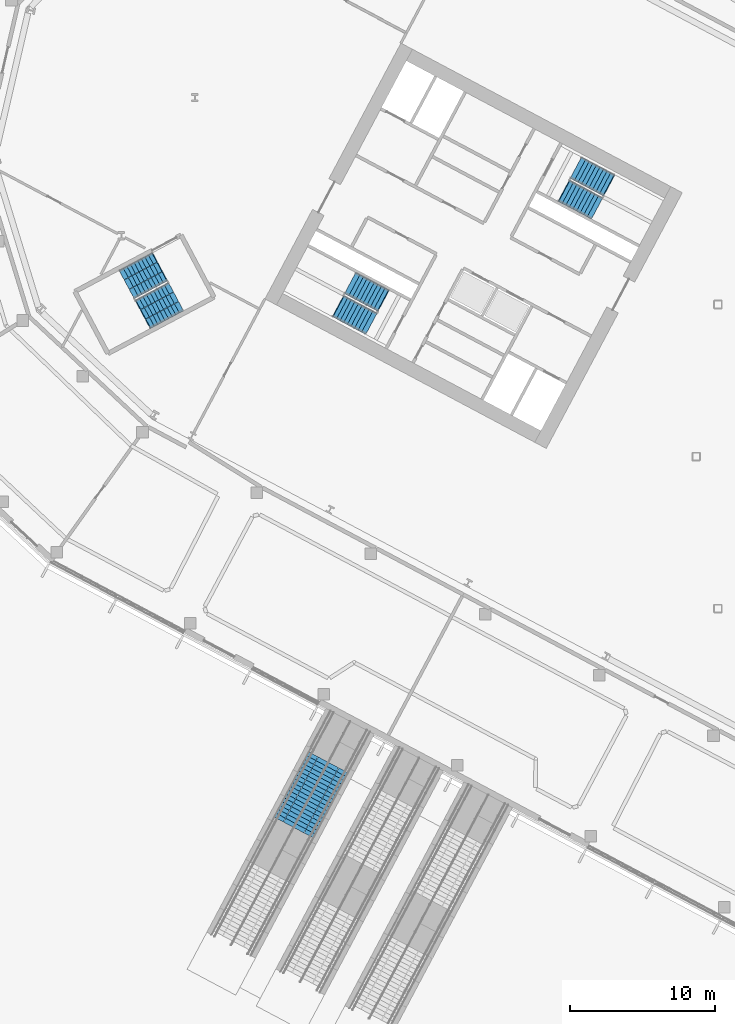
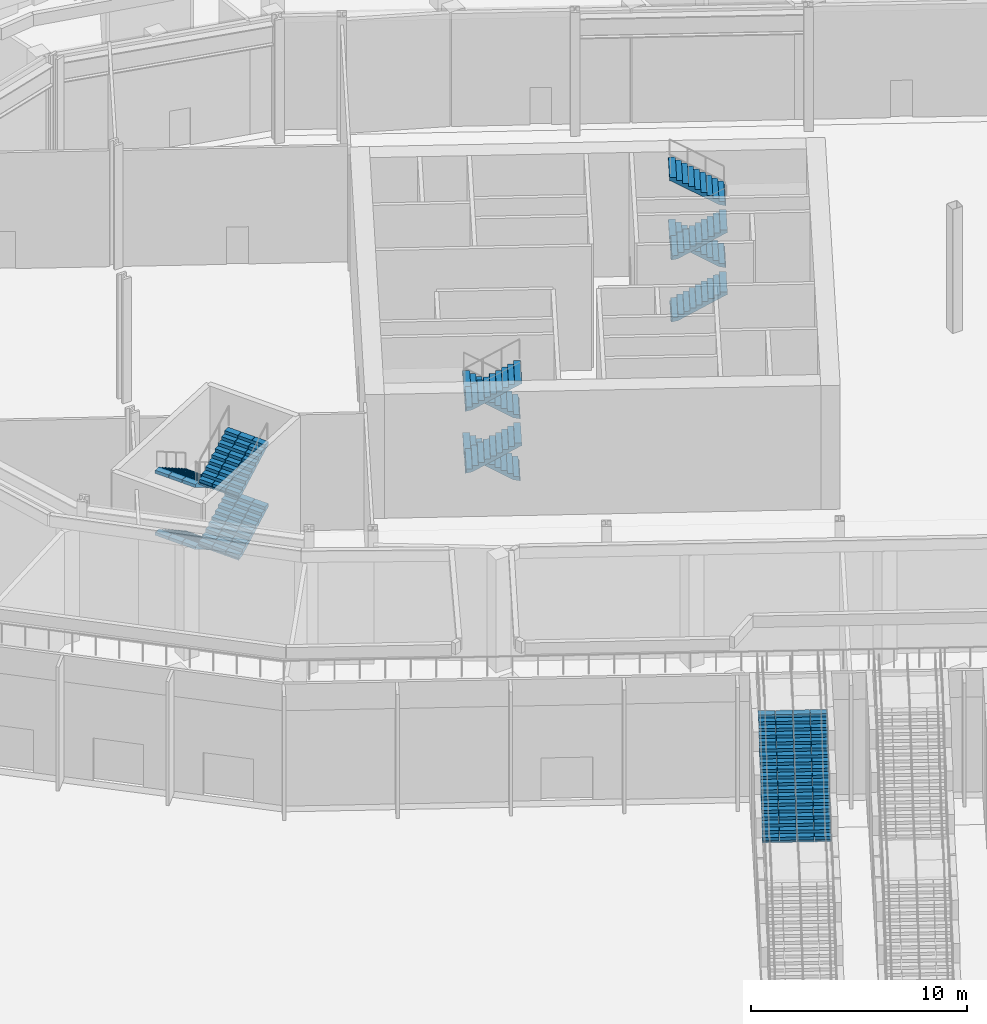
# One storey, part 33 of 57: 13 stair flights, 4 elements without a shape of their own.
"""IFC4 building model written with IfcOpenShell, lengths in metres."""

from ifc_helpers import new_model, si_unit, direction, frame, origin, place, context, subcontext, project, spatial, polyline, outline, extrude, material, layer, layer_set, type_object, element, aggregate, save


model = new_model("IFC4")

# Units and contexts
model_context = context("Model", 3, precision=1e-05, world=origin(), true_north=direction((0.0, 1.0)))
body_context = subcontext(model_context, "Body", "Model", "MODEL_VIEW")
ifc_project = project(units=[si_unit("LENGTHUNIT", "METRE"), si_unit("AREAUNIT", "SQUARE_METRE"), si_unit("VOLUMEUNIT", "CUBIC_METRE"), si_unit("PLANEANGLEUNIT", "RADIAN"), si_unit("MASSUNIT", "GRAM", prefix="KILO")], contexts=[model_context])

# Site, building, storey
site_placement = place(None, origin())
site = spatial("IfcSite", under=ifc_project, at=site_placement, CompositionType="ELEMENT")
building_placement = place(site_placement, origin())
building = spatial("IfcBuilding", under=site, at=building_placement, Name="Cormorant Relay Tower", CompositionType="ELEMENT")
storey_placement = place(building_placement, origin())
storey = spatial("IfcBuildingStorey", under=building, at=storey_placement, Name="L00", CompositionType="ELEMENT", Elevation=0.0)

# Stair, stair flights
ifc_material_1 = material(Name="Concrete 40 MPa", Category="concrete")
stair_type_1 = type_object("IfcStairType", Name="Exit stair 1500", PredefinedType="HALF_TURN_STAIR", material=ifc_material_1)
stair_1_placement = place(storey_placement, origin())
stair_1 = element("IfcStair", 1, at=stair_1_placement, inside=storey, type_object=stair_type_1, Name="L00 Stair", PredefinedType="HALF_TURN_STAIR")
ifc_material_2 = material(Name="Concrete 40 MPa", Category="concrete")
stair_flight_type_1 = type_object("IfcStairFlightType", Name="Exit stair flight 1650", PredefinedType="STRAIGHT", material=ifc_material_2)
stair_flight_1_placement = place(storey_placement, frame((-21.114501953125, 18.33349609375, 0.0), z_axis=(0.0, 0.0, 1.0), x_axis=(0.882947592859, -0.469471562786, 0.0)))
stair_flight_1 = element("IfcStairFlight", 2, at=stair_flight_1_placement, type_object=stair_flight_type_1, Name="A1 flight 1", NumberOfRisers=10, NumberOfTreads=9, PredefinedType="STRAIGHT", RiserHeight=0.175, TreadLength=0.28, context=body_context, shape_type="SweptSolid", body=[
    extrude(outline(polyline([(-0.050048828125, -0.080078125), (-0.050048828125, 0.0), (0.0, 0.0), (0.0, 0.175048828125), (0.280029296875, 0.175048828125), (0.280029296875, 0.35009765625), (0.56005859375, 0.35009765625), (0.56005859375, 0.52490234375), (0.840087890625, 0.52490234375), (0.840087890625, 0.699951171875), (1.1201171875, 0.699951171875), (1.1201171875, 0.875), (1.39990234375, 0.875), (1.39990234375, 1.050048828125), (1.679931640625, 1.050048828125), (1.679931640625, 1.22509765625), (1.9599609375, 1.22509765625), (1.9599609375, 1.39990234375), (2.239990234375, 1.39990234375), (2.239990234375, 1.574951171875), (2.52001953125, 1.574951171875), (2.570068359375, 1.574951171875), (2.570068359375, 1.398193359375), (2.52001953125, 1.398193359375), (0.28271484375, 0.0), (-0.050048828125, -0.080078125)])), frame((0.0, 0.824951171875, 0.0), z_axis=(0.0, -1.0, 0.0), x_axis=(1.0, 0.0, 0.0)), (0.0, 0.0, 1.0), 1.64990234375),
])
stair_flight_2_placement = place(storey_placement, frame((-18.044189453125, 18.73974609375, 1.75), z_axis=(0.0, 0.0, 1.0), x_axis=(-0.882947592859, 0.469471562786, 0.0)))
stair_flight_2 = element("IfcStairFlight", 3, at=stair_flight_2_placement, type_object=stair_flight_type_1, Name="A1 flight 2", NumberOfRisers=10, NumberOfTreads=9, PredefinedType="STRAIGHT", RiserHeight=0.175, TreadLength=0.28, context=body_context, shape_type="SweptSolid", body=[
    extrude(outline(polyline([(-0.050048828125, -0.080078125), (-0.050048828125, 0.0), (0.0, 0.0), (0.0, 0.175048828125), (0.280029296875, 0.175048828125), (0.280029296875, 0.35009765625), (0.56005859375, 0.35009765625), (0.56005859375, 0.52490234375), (0.840087890625, 0.52490234375), (0.840087890625, 0.699951171875), (1.1201171875, 0.699951171875), (1.1201171875, 0.875), (1.39990234375, 0.875), (1.39990234375, 1.050048828125), (1.679931640625, 1.050048828125), (1.679931640625, 1.22509765625), (1.9599609375, 1.22509765625), (1.9599609375, 1.39990234375), (2.239990234375, 1.39990234375), (2.239990234375, 1.574951171875), (2.52001953125, 1.574951171875), (2.570068359375, 1.574951171875), (2.570068359375, 1.398193359375), (2.52001953125, 1.398193359375), (0.28271484375, 0.0), (-0.050048828125, -0.080078125)])), frame((0.0, 0.824951171875, 0.0), z_axis=(0.0, -1.0, 0.0), x_axis=(1.0, 0.0, 0.0)), (0.0, 0.0, 1.0), 1.64990234375),
])
stair_flight_3_placement = place(storey_placement, frame((-21.114501953125, 18.33349609375, 3.5), z_axis=(0.0, 0.0, 1.0), x_axis=(0.882947592859, -0.469471562786, 0.0)))
stair_flight_3 = element("IfcStairFlight", 4, at=stair_flight_3_placement, type_object=stair_flight_type_1, Name="A1 flight 3", NumberOfRisers=10, NumberOfTreads=9, PredefinedType="STRAIGHT", RiserHeight=0.175, TreadLength=0.28, context=body_context, shape_type="SweptSolid", body=[
    extrude(outline(polyline([(-0.050048828125, -0.080078125), (-0.050048828125, 0.0), (0.0, 0.0), (0.0, 0.175048828125), (0.280029296875, 0.175048828125), (0.280029296875, 0.35009765625), (0.56005859375, 0.35009765625), (0.56005859375, 0.52490234375), (0.840087890625, 0.52490234375), (0.840087890625, 0.699951171875), (1.1201171875, 0.699951171875), (1.1201171875, 0.875), (1.39990234375, 0.875), (1.39990234375, 1.050048828125), (1.679931640625, 1.050048828125), (1.679931640625, 1.22509765625), (1.9599609375, 1.22509765625), (1.9599609375, 1.39990234375), (2.239990234375, 1.39990234375), (2.239990234375, 1.574951171875), (2.52001953125, 1.574951171875), (2.570068359375, 1.574951171875), (2.570068359375, 1.398193359375), (2.52001953125, 1.398193359375), (0.28271484375, 0.0), (-0.050048828125, -0.080078125)])), frame((0.0, 0.824951171875, 0.0), z_axis=(0.0, -1.0, 0.0), x_axis=(1.0, 0.0, 0.0)), (0.0, 0.0, 1.0), 1.64990234375),
])
stair_flight_4_placement = place(storey_placement, frame((-18.044189453125, 18.73974609375, 5.25), z_axis=(0.0, 0.0, 1.0), x_axis=(-0.882947592859, 0.469471562786, 0.0)))
stair_flight_4 = element("IfcStairFlight", 5, at=stair_flight_4_placement, type_object=stair_flight_type_1, Name="A1 flight 4", NumberOfRisers=10, NumberOfTreads=9, PredefinedType="STRAIGHT", RiserHeight=0.175, TreadLength=0.28, context=body_context, shape_type="SweptSolid", body=[
    extrude(outline(polyline([(-0.050048828125, -0.080078125), (-0.050048828125, 0.0), (0.0, 0.0), (0.0, 0.175048828125), (0.280029296875, 0.175048828125), (0.280029296875, 0.35009765625), (0.56005859375, 0.35009765625), (0.56005859375, 0.52490234375), (0.840087890625, 0.52490234375), (0.840087890625, 0.699951171875), (1.1201171875, 0.699951171875), (1.1201171875, 0.875), (1.39990234375, 0.875), (1.39990234375, 1.050048828125), (1.679931640625, 1.050048828125), (1.679931640625, 1.22509765625), (1.9599609375, 1.22509765625), (1.9599609375, 1.39990234375), (2.239990234375, 1.39990234375), (2.239990234375, 1.574951171875), (2.52001953125, 1.574951171875), (2.570068359375, 1.574951171875), (2.570068359375, 1.398193359375), (2.52001953125, 1.398193359375), (0.28271484375, 0.0), (-0.050048828125, -0.080078125)])), frame((0.0, 0.824951171875, 0.0), z_axis=(0.0, -1.0, 0.0), x_axis=(1.0, 0.0, 0.0)), (0.0, 0.0, 1.0), 1.64990234375),
])
aggregate(stair_1, [stair_flight_1, stair_flight_2, stair_flight_3, stair_flight_4])

stair_2_placement = place(storey_placement, origin())
stair_2 = element("IfcStair", 6, at=stair_2_placement, inside=storey, type_object=stair_type_1, Name="L00 Stair", PredefinedType="HALF_TURN_STAIR")
stair_flight_5_placement = place(storey_placement, frame((-33.62841796875, 10.773681640625, 0.0), z_axis=(0.0, 0.0, 1.0), x_axis=(-0.882947592859, 0.469471562786, 0.0)))
stair_flight_5 = element("IfcStairFlight", 7, at=stair_flight_5_placement, type_object=stair_flight_type_1, Name="A2 flight 1", NumberOfRisers=10, NumberOfTreads=9, PredefinedType="STRAIGHT", RiserHeight=0.175, TreadLength=0.28, context=body_context, shape_type="SweptSolid", body=[
    extrude(outline(polyline([(-0.050048828125, -0.080078125), (-0.050048828125, 0.0), (0.0, 0.0), (0.0, 0.175048828125), (0.280029296875, 0.175048828125), (0.280029296875, 0.35009765625), (0.56005859375, 0.35009765625), (0.56005859375, 0.52490234375), (0.840087890625, 0.52490234375), (0.840087890625, 0.699951171875), (1.1201171875, 0.699951171875), (1.1201171875, 0.875), (1.39990234375, 0.875), (1.39990234375, 1.050048828125), (1.679931640625, 1.050048828125), (1.679931640625, 1.22509765625), (1.9599609375, 1.22509765625), (1.9599609375, 1.39990234375), (2.239990234375, 1.39990234375), (2.239990234375, 1.574951171875), (2.52001953125, 1.574951171875), (2.570068359375, 1.574951171875), (2.570068359375, 1.398193359375), (2.52001953125, 1.398193359375), (0.28271484375, 0.0), (-0.050048828125, -0.080078125)])), frame((0.0, 0.824951171875, 0.0), z_axis=(0.0, -1.0, 0.0), x_axis=(1.0, 0.0, 0.0)), (0.0, 0.0, 1.0), 1.64990234375),
])
stair_flight_6_placement = place(storey_placement, frame((-36.698486328125, 10.367431640625, 1.75), z_axis=(0.0, 0.0, 1.0), x_axis=(0.882947592859, -0.469471562786, 0.0)))
stair_flight_6 = element("IfcStairFlight", 8, at=stair_flight_6_placement, type_object=stair_flight_type_1, Name="A2 flight 2", NumberOfRisers=10, NumberOfTreads=9, PredefinedType="STRAIGHT", RiserHeight=0.175, TreadLength=0.28, context=body_context, shape_type="SweptSolid", body=[
    extrude(outline(polyline([(-0.050048828125, -0.080078125), (-0.050048828125, 0.0), (0.0, 0.0), (0.0, 0.175048828125), (0.280029296875, 0.175048828125), (0.280029296875, 0.35009765625), (0.56005859375, 0.35009765625), (0.56005859375, 0.52490234375), (0.840087890625, 0.52490234375), (0.840087890625, 0.699951171875), (1.1201171875, 0.699951171875), (1.1201171875, 0.875), (1.39990234375, 0.875), (1.39990234375, 1.050048828125), (1.679931640625, 1.050048828125), (1.679931640625, 1.22509765625), (1.9599609375, 1.22509765625), (1.9599609375, 1.39990234375), (2.239990234375, 1.39990234375), (2.239990234375, 1.574951171875), (2.52001953125, 1.574951171875), (2.570068359375, 1.574951171875), (2.570068359375, 1.398193359375), (2.52001953125, 1.398193359375), (0.28271484375, 0.0), (-0.050048828125, -0.080078125)])), frame((0.0, 0.824951171875, 0.0), z_axis=(0.0, -1.0, 0.0), x_axis=(1.0, 0.0, 0.0)), (0.0, 0.0, 1.0), 1.64990234375),
])
stair_flight_7_placement = place(storey_placement, frame((-33.62841796875, 10.773681640625, 3.5), z_axis=(0.0, 0.0, 1.0), x_axis=(-0.882947592859, 0.469471562786, 0.0)))
stair_flight_7 = element("IfcStairFlight", 9, at=stair_flight_7_placement, type_object=stair_flight_type_1, Name="A2 flight 3", NumberOfRisers=10, NumberOfTreads=9, PredefinedType="STRAIGHT", RiserHeight=0.175, TreadLength=0.28, context=body_context, shape_type="SweptSolid", body=[
    extrude(outline(polyline([(-0.050048828125, -0.080078125), (-0.050048828125, 0.0), (0.0, 0.0), (0.0, 0.175048828125), (0.280029296875, 0.175048828125), (0.280029296875, 0.35009765625), (0.56005859375, 0.35009765625), (0.56005859375, 0.52490234375), (0.840087890625, 0.52490234375), (0.840087890625, 0.699951171875), (1.1201171875, 0.699951171875), (1.1201171875, 0.875), (1.39990234375, 0.875), (1.39990234375, 1.050048828125), (1.679931640625, 1.050048828125), (1.679931640625, 1.22509765625), (1.9599609375, 1.22509765625), (1.9599609375, 1.39990234375), (2.239990234375, 1.39990234375), (2.239990234375, 1.574951171875), (2.52001953125, 1.574951171875), (2.570068359375, 1.574951171875), (2.570068359375, 1.398193359375), (2.52001953125, 1.398193359375), (0.28271484375, 0.0), (-0.050048828125, -0.080078125)])), frame((0.0, 0.824951171875, 0.0), z_axis=(0.0, -1.0, 0.0), x_axis=(1.0, 0.0, 0.0)), (0.0, 0.0, 1.0), 1.64990234375),
])
stair_flight_8_placement = place(storey_placement, frame((-36.698486328125, 10.367431640625, 5.25), z_axis=(0.0, 0.0, 1.0), x_axis=(0.882947592859, -0.469471562786, 0.0)))
stair_flight_8 = element("IfcStairFlight", 10, at=stair_flight_8_placement, type_object=stair_flight_type_1, Name="A2 flight 4", NumberOfRisers=10, NumberOfTreads=9, PredefinedType="STRAIGHT", RiserHeight=0.175, TreadLength=0.28, context=body_context, shape_type="SweptSolid", body=[
    extrude(outline(polyline([(-0.050048828125, -0.080078125), (-0.050048828125, 0.0), (0.0, 0.0), (0.0, 0.175048828125), (0.280029296875, 0.175048828125), (0.280029296875, 0.35009765625), (0.56005859375, 0.35009765625), (0.56005859375, 0.52490234375), (0.840087890625, 0.52490234375), (0.840087890625, 0.699951171875), (1.1201171875, 0.699951171875), (1.1201171875, 0.875), (1.39990234375, 0.875), (1.39990234375, 1.050048828125), (1.679931640625, 1.050048828125), (1.679931640625, 1.22509765625), (1.9599609375, 1.22509765625), (1.9599609375, 1.39990234375), (2.239990234375, 1.39990234375), (2.239990234375, 1.574951171875), (2.52001953125, 1.574951171875), (2.570068359375, 1.574951171875), (2.570068359375, 1.398193359375), (2.52001953125, 1.398193359375), (0.28271484375, 0.0), (-0.050048828125, -0.080078125)])), frame((0.0, 0.824951171875, 0.0), z_axis=(0.0, -1.0, 0.0), x_axis=(1.0, 0.0, 0.0)), (0.0, 0.0, 1.0), 1.64990234375),
])
aggregate(stair_2, [stair_flight_5, stair_flight_6, stair_flight_7, stair_flight_8])

ifc_material_3 = material(Name="Concrete 40 MPa", Category="concrete")
stair_type_2 = type_object("IfcStairType", Name="Remote exit stair 2200", PredefinedType="HALF_TURN_STAIR", material=ifc_material_3)
stair_3_placement = place(storey_placement, origin())
stair_3 = element("IfcStair", 11, at=stair_3_placement, inside=storey, type_object=stair_type_2, Name="L00 Stair", PredefinedType="HALF_TURN_STAIR")
ifc_material_4 = material(Name="Concrete 40 MPa", Category="concrete")
stair_flight_type_2 = type_object("IfcStairFlightType", Name="Remote exit stair flight 2200", PredefinedType="STRAIGHT", material=ifc_material_4)
stair_flight_9_placement = place(storey_placement, frame((-49.062255859375, 13.08251953125, 0.0), z_axis=(0.0, 0.0, 1.0), x_axis=(-0.882947502727, -0.4694717323, 0.0)))
stair_flight_9 = element("IfcStairFlight", 12, at=stair_flight_9_placement, type_object=stair_flight_type_2, Name="RP1 flight 1", NumberOfRisers=10, NumberOfTreads=9, PredefinedType="STRAIGHT", RiserHeight=0.175, TreadLength=0.28, context=body_context, shape_type="SweptSolid", body=[
    extrude(outline(polyline([(-0.050048828125, -0.080078125), (-0.050048828125, 0.0), (0.0, 0.0), (0.0, 0.175048828125), (0.280029296875, 0.175048828125), (0.280029296875, 0.35009765625), (0.56005859375, 0.35009765625), (0.56005859375, 0.52490234375), (0.840087890625, 0.52490234375), (0.840087890625, 0.699951171875), (1.1201171875, 0.699951171875), (1.1201171875, 0.875), (1.39990234375, 0.875), (1.39990234375, 1.050048828125), (1.679931640625, 1.050048828125), (1.679931640625, 1.22509765625), (1.9599609375, 1.22509765625), (1.9599609375, 1.39990234375), (2.239990234375, 1.39990234375), (2.239990234375, 1.574951171875), (2.52001953125, 1.574951171875), (2.570068359375, 1.574951171875), (2.570068359375, 1.398193359375), (2.52001953125, 1.398193359375), (0.28271484375, 0.0), (-0.050048828125, -0.080078125)])), frame((0.0, 1.10009765625, 0.0), z_axis=(0.0, -1.0, 0.0), x_axis=(1.0, 0.0, 0.0)), (0.0, 0.0, 1.0), 0.719970703125),
    extrude(outline(polyline([(-0.050048828125, -0.080078125), (-0.050048828125, 0.0), (0.0, 0.0), (0.0, 0.175048828125), (0.280029296875, 0.175048828125), (0.280029296875, 0.35009765625), (0.56005859375, 0.35009765625), (0.56005859375, 0.52490234375), (0.840087890625, 0.52490234375), (0.840087890625, 0.699951171875), (1.1201171875, 0.699951171875), (1.1201171875, 0.875), (1.39990234375, 0.875), (1.39990234375, 1.050048828125), (1.679931640625, 1.050048828125), (1.679931640625, 1.22509765625), (1.9599609375, 1.22509765625), (1.9599609375, 1.39990234375), (2.239990234375, 1.39990234375), (2.239990234375, 1.574951171875), (2.52001953125, 1.574951171875), (2.570068359375, 1.574951171875), (2.570068359375, 1.398193359375), (2.52001953125, 1.398193359375), (0.28271484375, 0.0), (-0.050048828125, -0.080078125)])), frame((0.0, 0.360107421875, 0.0), z_axis=(0.0, -1.0, 0.0), x_axis=(1.0, 0.0, 0.0)), (0.0, 0.0, 1.0), 0.719970703125),
    extrude(outline(polyline([(-0.050048828125, -0.080078125), (-0.050048828125, 0.0), (0.0, 0.0), (0.0, 0.175048828125), (0.280029296875, 0.175048828125), (0.280029296875, 0.35009765625), (0.56005859375, 0.35009765625), (0.56005859375, 0.52490234375), (0.840087890625, 0.52490234375), (0.840087890625, 0.699951171875), (1.1201171875, 0.699951171875), (1.1201171875, 0.875), (1.39990234375, 0.875), (1.39990234375, 1.050048828125), (1.679931640625, 1.050048828125), (1.679931640625, 1.22509765625), (1.9599609375, 1.22509765625), (1.9599609375, 1.39990234375), (2.239990234375, 1.39990234375), (2.239990234375, 1.574951171875), (2.52001953125, 1.574951171875), (2.570068359375, 1.574951171875), (2.570068359375, 1.398193359375), (2.52001953125, 1.398193359375), (0.28271484375, 0.0), (-0.050048828125, -0.080078125)])), frame((0.0, -0.3798828125, 0.0), z_axis=(0.0, -1.0, 0.0), x_axis=(1.0, 0.0, 0.0)), (0.0, 0.0, 1.0), 0.719970703125),
])
stair_flight_10_placement = place(storey_placement, frame((-50.18408203125, 9.824462890625, 1.75), z_axis=(0.0, 0.0, 1.0), x_axis=(0.882947502727, 0.4694717323, 0.0)))
stair_flight_10 = element("IfcStairFlight", 13, at=stair_flight_10_placement, type_object=stair_flight_type_2, Name="RP1 flight 2", NumberOfRisers=10, NumberOfTreads=9, PredefinedType="STRAIGHT", RiserHeight=0.175, TreadLength=0.28, context=body_context, shape_type="SweptSolid", body=[
    extrude(outline(polyline([(-0.050048828125, -0.080078125), (-0.050048828125, 0.0), (0.0, 0.0), (0.0, 0.175048828125), (0.280029296875, 0.175048828125), (0.280029296875, 0.35009765625), (0.56005859375, 0.35009765625), (0.56005859375, 0.52490234375), (0.840087890625, 0.52490234375), (0.840087890625, 0.699951171875), (1.1201171875, 0.699951171875), (1.1201171875, 0.875), (1.39990234375, 0.875), (1.39990234375, 1.050048828125), (1.679931640625, 1.050048828125), (1.679931640625, 1.22509765625), (1.9599609375, 1.22509765625), (1.9599609375, 1.39990234375), (2.239990234375, 1.39990234375), (2.239990234375, 1.574951171875), (2.52001953125, 1.574951171875), (2.570068359375, 1.574951171875), (2.570068359375, 1.398193359375), (2.52001953125, 1.398193359375), (0.28271484375, 0.0), (-0.050048828125, -0.080078125)])), frame((0.0, 1.10009765625, 0.0), z_axis=(0.0, -1.0, 0.0), x_axis=(1.0, 0.0, 0.0)), (0.0, 0.0, 1.0), 0.719970703125),
    extrude(outline(polyline([(-0.050048828125, -0.080078125), (-0.050048828125, 0.0), (0.0, 0.0), (0.0, 0.175048828125), (0.280029296875, 0.175048828125), (0.280029296875, 0.35009765625), (0.56005859375, 0.35009765625), (0.56005859375, 0.52490234375), (0.840087890625, 0.52490234375), (0.840087890625, 0.699951171875), (1.1201171875, 0.699951171875), (1.1201171875, 0.875), (1.39990234375, 0.875), (1.39990234375, 1.050048828125), (1.679931640625, 1.050048828125), (1.679931640625, 1.22509765625), (1.9599609375, 1.22509765625), (1.9599609375, 1.39990234375), (2.239990234375, 1.39990234375), (2.239990234375, 1.574951171875), (2.52001953125, 1.574951171875), (2.570068359375, 1.574951171875), (2.570068359375, 1.398193359375), (2.52001953125, 1.398193359375), (0.28271484375, 0.0), (-0.050048828125, -0.080078125)])), frame((0.0, 0.360107421875, 0.0), z_axis=(0.0, -1.0, 0.0), x_axis=(1.0, 0.0, 0.0)), (0.0, 0.0, 1.0), 0.719970703125),
    extrude(outline(polyline([(-0.050048828125, -0.080078125), (-0.050048828125, 0.0), (0.0, 0.0), (0.0, 0.175048828125), (0.280029296875, 0.175048828125), (0.280029296875, 0.35009765625), (0.56005859375, 0.35009765625), (0.56005859375, 0.52490234375), (0.840087890625, 0.52490234375), (0.840087890625, 0.699951171875), (1.1201171875, 0.699951171875), (1.1201171875, 0.875), (1.39990234375, 0.875), (1.39990234375, 1.050048828125), (1.679931640625, 1.050048828125), (1.679931640625, 1.22509765625), (1.9599609375, 1.22509765625), (1.9599609375, 1.39990234375), (2.239990234375, 1.39990234375), (2.239990234375, 1.574951171875), (2.52001953125, 1.574951171875), (2.570068359375, 1.574951171875), (2.570068359375, 1.398193359375), (2.52001953125, 1.398193359375), (0.28271484375, 0.0), (-0.050048828125, -0.080078125)])), frame((0.0, -0.3798828125, 0.0), z_axis=(0.0, -1.0, 0.0), x_axis=(1.0, 0.0, 0.0)), (0.0, 0.0, 1.0), 0.719970703125),
])
stair_flight_11_placement = place(storey_placement, frame((-49.062255859375, 13.08251953125, 3.5), z_axis=(0.0, 0.0, 1.0), x_axis=(-0.882947502727, -0.4694717323, 0.0)))
stair_flight_11 = element("IfcStairFlight", 14, at=stair_flight_11_placement, type_object=stair_flight_type_2, Name="RP1 flight 3", NumberOfRisers=10, NumberOfTreads=9, PredefinedType="STRAIGHT", RiserHeight=0.175, TreadLength=0.28, context=body_context, shape_type="SweptSolid", body=[
    extrude(outline(polyline([(-0.050048828125, -0.080078125), (-0.050048828125, 0.0), (0.0, 0.0), (0.0, 0.175048828125), (0.280029296875, 0.175048828125), (0.280029296875, 0.35009765625), (0.56005859375, 0.35009765625), (0.56005859375, 0.52490234375), (0.840087890625, 0.52490234375), (0.840087890625, 0.699951171875), (1.1201171875, 0.699951171875), (1.1201171875, 0.875), (1.39990234375, 0.875), (1.39990234375, 1.050048828125), (1.679931640625, 1.050048828125), (1.679931640625, 1.22509765625), (1.9599609375, 1.22509765625), (1.9599609375, 1.39990234375), (2.239990234375, 1.39990234375), (2.239990234375, 1.574951171875), (2.52001953125, 1.574951171875), (2.570068359375, 1.574951171875), (2.570068359375, 1.398193359375), (2.52001953125, 1.398193359375), (0.28271484375, 0.0), (-0.050048828125, -0.080078125)])), frame((0.0, 1.10009765625, 0.0), z_axis=(0.0, -1.0, 0.0), x_axis=(1.0, 0.0, 0.0)), (0.0, 0.0, 1.0), 0.719970703125),
    extrude(outline(polyline([(-0.050048828125, -0.080078125), (-0.050048828125, 0.0), (0.0, 0.0), (0.0, 0.175048828125), (0.280029296875, 0.175048828125), (0.280029296875, 0.35009765625), (0.56005859375, 0.35009765625), (0.56005859375, 0.52490234375), (0.840087890625, 0.52490234375), (0.840087890625, 0.699951171875), (1.1201171875, 0.699951171875), (1.1201171875, 0.875), (1.39990234375, 0.875), (1.39990234375, 1.050048828125), (1.679931640625, 1.050048828125), (1.679931640625, 1.22509765625), (1.9599609375, 1.22509765625), (1.9599609375, 1.39990234375), (2.239990234375, 1.39990234375), (2.239990234375, 1.574951171875), (2.52001953125, 1.574951171875), (2.570068359375, 1.574951171875), (2.570068359375, 1.398193359375), (2.52001953125, 1.398193359375), (0.28271484375, 0.0), (-0.050048828125, -0.080078125)])), frame((0.0, 0.360107421875, 0.0), z_axis=(0.0, -1.0, 0.0), x_axis=(1.0, 0.0, 0.0)), (0.0, 0.0, 1.0), 0.719970703125),
    extrude(outline(polyline([(-0.050048828125, -0.080078125), (-0.050048828125, 0.0), (0.0, 0.0), (0.0, 0.175048828125), (0.280029296875, 0.175048828125), (0.280029296875, 0.35009765625), (0.56005859375, 0.35009765625), (0.56005859375, 0.52490234375), (0.840087890625, 0.52490234375), (0.840087890625, 0.699951171875), (1.1201171875, 0.699951171875), (1.1201171875, 0.875), (1.39990234375, 0.875), (1.39990234375, 1.050048828125), (1.679931640625, 1.050048828125), (1.679931640625, 1.22509765625), (1.9599609375, 1.22509765625), (1.9599609375, 1.39990234375), (2.239990234375, 1.39990234375), (2.239990234375, 1.574951171875), (2.52001953125, 1.574951171875), (2.570068359375, 1.574951171875), (2.570068359375, 1.398193359375), (2.52001953125, 1.398193359375), (0.28271484375, 0.0), (-0.050048828125, -0.080078125)])), frame((0.0, -0.3798828125, 0.0), z_axis=(0.0, -1.0, 0.0), x_axis=(1.0, 0.0, 0.0)), (0.0, 0.0, 1.0), 0.719970703125),
])
stair_flight_12_placement = place(storey_placement, frame((-50.18408203125, 9.824462890625, 5.25), z_axis=(0.0, 0.0, 1.0), x_axis=(0.882947502727, 0.4694717323, 0.0)))
stair_flight_12 = element("IfcStairFlight", 15, at=stair_flight_12_placement, type_object=stair_flight_type_2, Name="RP1 flight 4", NumberOfRisers=10, NumberOfTreads=9, PredefinedType="STRAIGHT", RiserHeight=0.175, TreadLength=0.28, context=body_context, shape_type="SweptSolid", body=[
    extrude(outline(polyline([(-0.050048828125, -0.080078125), (-0.050048828125, 0.0), (0.0, 0.0), (0.0, 0.175048828125), (0.280029296875, 0.175048828125), (0.280029296875, 0.35009765625), (0.56005859375, 0.35009765625), (0.56005859375, 0.52490234375), (0.840087890625, 0.52490234375), (0.840087890625, 0.699951171875), (1.1201171875, 0.699951171875), (1.1201171875, 0.875), (1.39990234375, 0.875), (1.39990234375, 1.050048828125), (1.679931640625, 1.050048828125), (1.679931640625, 1.22509765625), (1.9599609375, 1.22509765625), (1.9599609375, 1.39990234375), (2.239990234375, 1.39990234375), (2.239990234375, 1.574951171875), (2.52001953125, 1.574951171875), (2.570068359375, 1.574951171875), (2.570068359375, 1.398193359375), (2.52001953125, 1.398193359375), (0.28271484375, 0.0), (-0.050048828125, -0.080078125)])), frame((0.0, 1.10009765625, 0.0), z_axis=(0.0, -1.0, 0.0), x_axis=(1.0, 0.0, 0.0)), (0.0, 0.0, 1.0), 0.719970703125),
    extrude(outline(polyline([(-0.050048828125, -0.080078125), (-0.050048828125, 0.0), (0.0, 0.0), (0.0, 0.175048828125), (0.280029296875, 0.175048828125), (0.280029296875, 0.35009765625), (0.56005859375, 0.35009765625), (0.56005859375, 0.52490234375), (0.840087890625, 0.52490234375), (0.840087890625, 0.699951171875), (1.1201171875, 0.699951171875), (1.1201171875, 0.875), (1.39990234375, 0.875), (1.39990234375, 1.050048828125), (1.679931640625, 1.050048828125), (1.679931640625, 1.22509765625), (1.9599609375, 1.22509765625), (1.9599609375, 1.39990234375), (2.239990234375, 1.39990234375), (2.239990234375, 1.574951171875), (2.52001953125, 1.574951171875), (2.570068359375, 1.574951171875), (2.570068359375, 1.398193359375), (2.52001953125, 1.398193359375), (0.28271484375, 0.0), (-0.050048828125, -0.080078125)])), frame((0.0, 0.360107421875, 0.0), z_axis=(0.0, -1.0, 0.0), x_axis=(1.0, 0.0, 0.0)), (0.0, 0.0, 1.0), 0.719970703125),
    extrude(outline(polyline([(-0.050048828125, -0.080078125), (-0.050048828125, 0.0), (0.0, 0.0), (0.0, 0.175048828125), (0.280029296875, 0.175048828125), (0.280029296875, 0.35009765625), (0.56005859375, 0.35009765625), (0.56005859375, 0.52490234375), (0.840087890625, 0.52490234375), (0.840087890625, 0.699951171875), (1.1201171875, 0.699951171875), (1.1201171875, 0.875), (1.39990234375, 0.875), (1.39990234375, 1.050048828125), (1.679931640625, 1.050048828125), (1.679931640625, 1.22509765625), (1.9599609375, 1.22509765625), (1.9599609375, 1.39990234375), (2.239990234375, 1.39990234375), (2.239990234375, 1.574951171875), (2.52001953125, 1.574951171875), (2.570068359375, 1.574951171875), (2.570068359375, 1.398193359375), (2.52001953125, 1.398193359375), (0.28271484375, 0.0), (-0.050048828125, -0.080078125)])), frame((0.0, -0.3798828125, 0.0), z_axis=(0.0, -1.0, 0.0), x_axis=(1.0, 0.0, 0.0)), (0.0, 0.0, 1.0), 0.719970703125),
])
aggregate(stair_3, [stair_flight_9, stair_flight_10, stair_flight_11, stair_flight_12])

# Stair, stair flight
ifc_material_5 = material(Name="Concrete 40 MPa", Category="concrete")
stair_type_3 = type_object("IfcStairType", Name="Street stair 3200", PredefinedType="STRAIGHT_RUN_STAIR", material=ifc_material_5)
stair_4_placement = place(storey_placement, origin())
stair_4 = element("IfcStair", 16, at=stair_4_placement, inside=storey, type_object=stair_type_3, Name="Street stair 2A", PredefinedType="STRAIGHT_RUN_STAIR")
ifc_material_6 = material(Name="Concrete 40 MPa", Category="concrete")
ifc_layer = layer(ifc_material_6, 0.199951171875)
ifc_layer_set = layer_set([ifc_layer], Name="Street stair flight")
stair_flight_type_3 = type_object("IfcStairFlightType", Name="Street stair flight", PredefinedType="STRAIGHT", material=ifc_layer_set)
stair_flight_13_placement = place(storey_placement, frame((-39.935791015625, -25.880615234375, 3.5), z_axis=(0.0, 0.0, 1.0), x_axis=(0.469471562786, 0.882947592859, 0.0)))
stair_flight_13 = element("IfcStairFlight", 17, at=stair_flight_13_placement, type_object=stair_flight_type_3, Name="PST1 flight 1", NumberOfRisers=20, NumberOfTreads=19, PredefinedType="STRAIGHT", RiserHeight=0.175, TreadLength=0.3, context=body_context, shape_type="SweptSolid", body=[
    extrude(outline(polyline([(-0.050048828125, -0.080078125), (-0.050048828125, 0.0), (0.0, 0.0), (0.0, 0.175048828125), (0.300048828125, 0.175048828125), (0.300048828125, 0.35009765625), (0.60009765625, 0.35009765625), (0.60009765625, 0.52490234375), (0.89990234375, 0.52490234375), (0.89990234375, 0.699951171875), (1.199951171875, 0.699951171875), (1.199951171875, 0.875), (1.5, 0.875), (1.5, 1.050048828125), (1.800048828125, 1.050048828125), (1.800048828125, 1.22509765625), (2.10009765625, 1.22509765625), (2.10009765625, 1.39990234375), (2.39990234375, 1.39990234375), (2.39990234375, 1.574951171875), (2.699951171875, 1.574951171875), (2.699951171875, 1.75), (3.0, 1.75), (3.0, 1.925048828125), (3.300048828125, 1.925048828125), (3.300048828125, 2.10009765625), (3.60009765625, 2.10009765625), (3.60009765625, 2.27490234375), (3.89990234375, 2.27490234375), (3.89990234375, 2.449951171875), (4.199951171875, 2.449951171875), (4.199951171875, 2.625), (4.5, 2.625), (4.5, 2.800048828125), (4.800048828125, 2.800048828125), (4.800048828125, 2.97509765625), (5.10009765625, 2.97509765625), (5.10009765625, 3.14990234375), (5.39990234375, 3.14990234375), (5.39990234375, 3.324951171875), (5.699951171875, 3.324951171875), (5.75, 3.324951171875), (5.75, 3.1513671875), (5.699951171875, 3.1513671875), (0.297607421875, 0.0), (-0.050048828125, -0.080078125)])), frame((0.0, 1.60009765625, 0.0), z_axis=(0.0, -1.0, 0.0), x_axis=(1.0, 0.0, 0.0)), (0.0, 0.0, 1.0), 0.784912109375),
    extrude(outline(polyline([(-0.050048828125, -0.080078125), (-0.050048828125, 0.0), (0.0, 0.0), (0.0, 0.175048828125), (0.300048828125, 0.175048828125), (0.300048828125, 0.35009765625), (0.60009765625, 0.35009765625), (0.60009765625, 0.52490234375), (0.89990234375, 0.52490234375), (0.89990234375, 0.699951171875), (1.199951171875, 0.699951171875), (1.199951171875, 0.875), (1.5, 0.875), (1.5, 1.050048828125), (1.800048828125, 1.050048828125), (1.800048828125, 1.22509765625), (2.10009765625, 1.22509765625), (2.10009765625, 1.39990234375), (2.39990234375, 1.39990234375), (2.39990234375, 1.574951171875), (2.699951171875, 1.574951171875), (2.699951171875, 1.75), (3.0, 1.75), (3.0, 1.925048828125), (3.300048828125, 1.925048828125), (3.300048828125, 2.10009765625), (3.60009765625, 2.10009765625), (3.60009765625, 2.27490234375), (3.89990234375, 2.27490234375), (3.89990234375, 2.449951171875), (4.199951171875, 2.449951171875), (4.199951171875, 2.625), (4.5, 2.625), (4.5, 2.800048828125), (4.800048828125, 2.800048828125), (4.800048828125, 2.97509765625), (5.10009765625, 2.97509765625), (5.10009765625, 3.14990234375), (5.39990234375, 3.14990234375), (5.39990234375, 3.324951171875), (5.699951171875, 3.324951171875), (5.75, 3.324951171875), (5.75, 3.1513671875), (5.699951171875, 3.1513671875), (0.297607421875, 0.0), (-0.050048828125, -0.080078125)])), frame((0.0, 0.795166015625, 0.0), z_axis=(0.0, -1.0, 0.0), x_axis=(1.0, 0.0, 0.0)), (0.0, 0.0, 1.0), 0.784912109375),
    extrude(outline(polyline([(-0.050048828125, -0.080078125), (-0.050048828125, 0.0), (0.0, 0.0), (0.0, 0.175048828125), (0.300048828125, 0.175048828125), (0.300048828125, 0.35009765625), (0.60009765625, 0.35009765625), (0.60009765625, 0.52490234375), (0.89990234375, 0.52490234375), (0.89990234375, 0.699951171875), (1.199951171875, 0.699951171875), (1.199951171875, 0.875), (1.5, 0.875), (1.5, 1.050048828125), (1.800048828125, 1.050048828125), (1.800048828125, 1.22509765625), (2.10009765625, 1.22509765625), (2.10009765625, 1.39990234375), (2.39990234375, 1.39990234375), (2.39990234375, 1.574951171875), (2.699951171875, 1.574951171875), (2.699951171875, 1.75), (3.0, 1.75), (3.0, 1.925048828125), (3.300048828125, 1.925048828125), (3.300048828125, 2.10009765625), (3.60009765625, 2.10009765625), (3.60009765625, 2.27490234375), (3.89990234375, 2.27490234375), (3.89990234375, 2.449951171875), (4.199951171875, 2.449951171875), (4.199951171875, 2.625), (4.5, 2.625), (4.5, 2.800048828125), (4.800048828125, 2.800048828125), (4.800048828125, 2.97509765625), (5.10009765625, 2.97509765625), (5.10009765625, 3.14990234375), (5.39990234375, 3.14990234375), (5.39990234375, 3.324951171875), (5.699951171875, 3.324951171875), (5.75, 3.324951171875), (5.75, 3.1513671875), (5.699951171875, 3.1513671875), (0.297607421875, 0.0), (-0.050048828125, -0.080078125)])), frame((0.0, -0.009765625, 0.0), z_axis=(0.0, -1.0, 0.0), x_axis=(1.0, 0.0, 0.0)), (0.0, 0.0, 1.0), 0.784912109375),
    extrude(outline(polyline([(-0.050048828125, -0.080078125), (-0.050048828125, 0.0), (0.0, 0.0), (0.0, 0.175048828125), (0.300048828125, 0.175048828125), (0.300048828125, 0.35009765625), (0.60009765625, 0.35009765625), (0.60009765625, 0.52490234375), (0.89990234375, 0.52490234375), (0.89990234375, 0.699951171875), (1.199951171875, 0.699951171875), (1.199951171875, 0.875), (1.5, 0.875), (1.5, 1.050048828125), (1.800048828125, 1.050048828125), (1.800048828125, 1.22509765625), (2.10009765625, 1.22509765625), (2.10009765625, 1.39990234375), (2.39990234375, 1.39990234375), (2.39990234375, 1.574951171875), (2.699951171875, 1.574951171875), (2.699951171875, 1.75), (3.0, 1.75), (3.0, 1.925048828125), (3.300048828125, 1.925048828125), (3.300048828125, 2.10009765625), (3.60009765625, 2.10009765625), (3.60009765625, 2.27490234375), (3.89990234375, 2.27490234375), (3.89990234375, 2.449951171875), (4.199951171875, 2.449951171875), (4.199951171875, 2.625), (4.5, 2.625), (4.5, 2.800048828125), (4.800048828125, 2.800048828125), (4.800048828125, 2.97509765625), (5.10009765625, 2.97509765625), (5.10009765625, 3.14990234375), (5.39990234375, 3.14990234375), (5.39990234375, 3.324951171875), (5.699951171875, 3.324951171875), (5.75, 3.324951171875), (5.75, 3.1513671875), (5.699951171875, 3.1513671875), (0.297607421875, 0.0), (-0.050048828125, -0.080078125)])), frame((0.0, -0.814697265625, 0.0), z_axis=(0.0, -1.0, 0.0), x_axis=(1.0, 0.0, 0.0)), (0.0, 0.0, 1.0), 0.784912109375),
])
aggregate(stair_4, [stair_flight_13])

save(model, "model.ifc")
